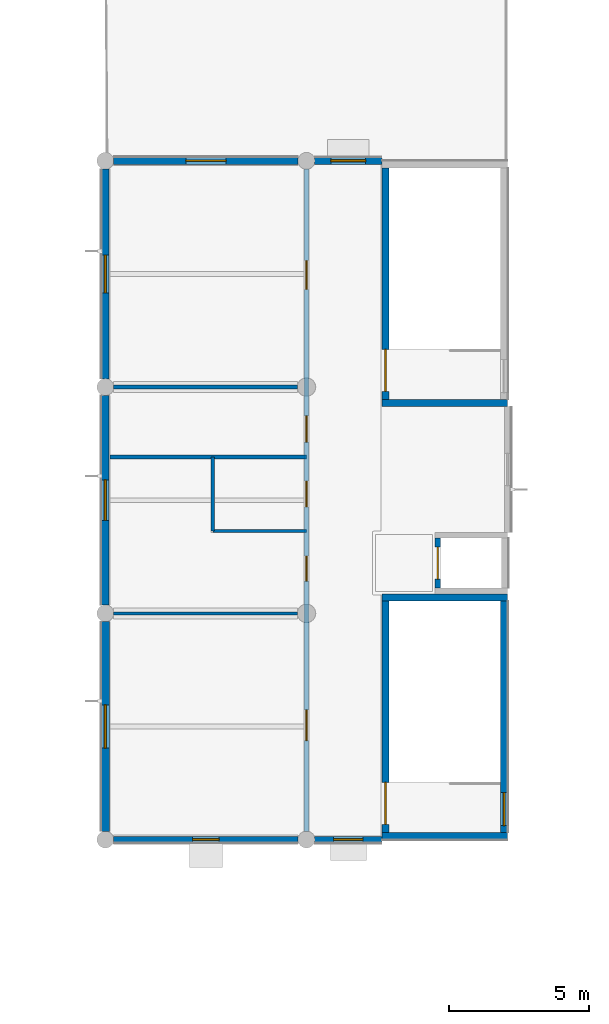
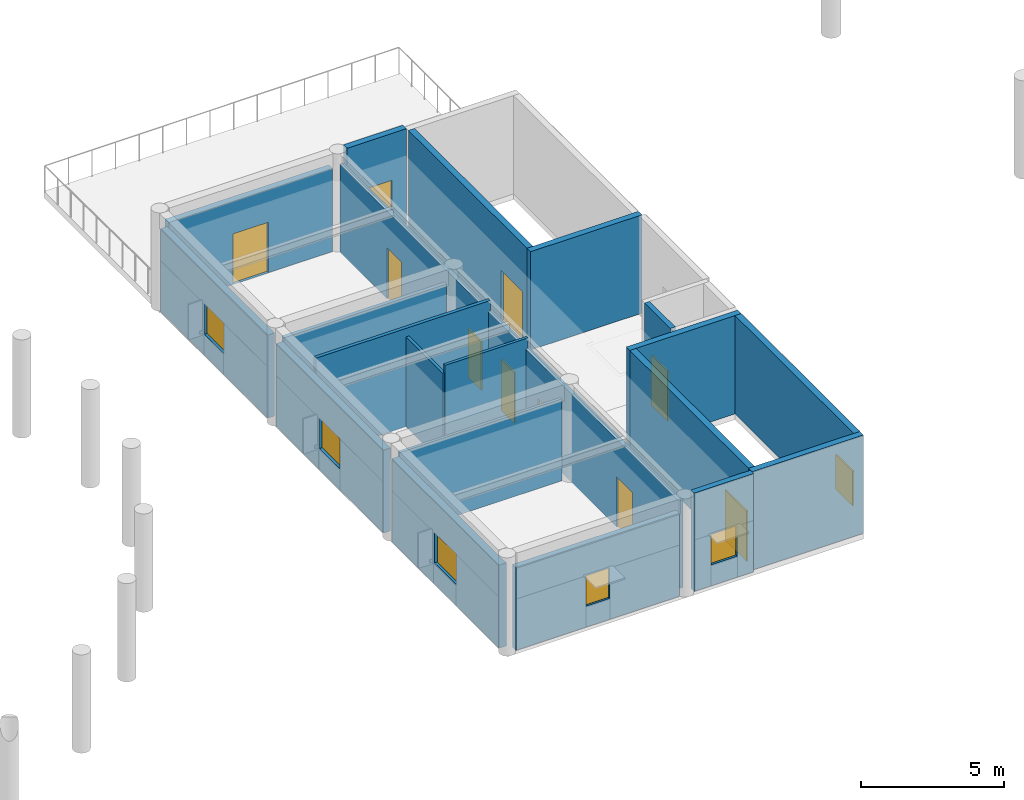
# One storey, part 29 of 55: 20 walls, 9 doors, 7 windows, 16 openings.
"""IFC4 building model written with IfcOpenShell, lengths in metres."""

from ifc_helpers import new_model, si_unit, direction, frame, frame_2d, origin, place, context, subcontext, project, spatial, rectangle, extrude, material, layer, layer_set, type_object, element, fill, save


model = new_model("IFC4")

# Units and contexts
model_context = context("Model", 3, precision=1e-05, world=origin(), true_north=direction((0.0, 1.0)))
body_context = subcontext(model_context, "Body", "Model", "MODEL_VIEW")
ifc_project = project(units=[si_unit("LENGTHUNIT", "METRE"), si_unit("AREAUNIT", "SQUARE_METRE"), si_unit("VOLUMEUNIT", "CUBIC_METRE"), si_unit("PLANEANGLEUNIT", "RADIAN"), si_unit("MASSUNIT", "GRAM", prefix="KILO")], contexts=[model_context])

# Site, building, storey
site_placement = place(None, origin())
site = spatial("IfcSite", under=ifc_project, at=site_placement, CompositionType="ELEMENT")
building_placement = place(site_placement, origin())
building = spatial("IfcBuilding", under=site, at=building_placement, Name="Namkhue Oval Health Centre", CompositionType="ELEMENT")
storey_placement = place(building_placement, frame((0.0, 0.0, 9.60009765625)))
storey = spatial("IfcBuildingStorey", under=building, at=storey_placement, Name="L02", CompositionType="ELEMENT", Elevation=9.60009765625)

# Wall, opening, window
ifc_material_1 = material(Name="Autoclaved aerated concrete blockwork M7.5", Category="masonry")
ifc_layer_1 = layer(ifc_material_1, 0.219970703125)
ifc_layer_set_1 = layer_set([ifc_layer_1], Name="Autoclaved aerated concrete blockwork M7.5")
wall_type_1 = type_object("IfcWallType", Name="EXTERIOR ENVELOPE WALL 220", PredefinedType="STANDARD", material=ifc_layer_set_1)
wall_1_placement = place(storey_placement, frame((137.094970703125, 43.199951171875, 0.0), z_axis=(0.0, 0.0, 1.0), x_axis=(1.0, 0.0, 0.0)))
wall_1 = element("IfcWall", 1, at=wall_1_placement, inside=storey, type_object=wall_type_1, Name="Volume V6 L02 Exterior Envelope Wall 181", PredefinedType="STANDARD", context=body_context, shape_type="SweptSolid", body=[
    extrude(rectangle(XDim=6.610107421875, YDim=0.219970703125, at=frame_2d((3.30517578125, 0.0))), origin(), (0.0, 0.0, 1.0), 3.5498046875),
])
opening_1_placement = place(wall_1_placement, frame((2.830078125, 0.0, 0.89990234375)))
opening_1 = element("IfcOpeningElement", 2, at=opening_1_placement, cuts=wall_1, Name="Opening WN-01", PredefinedType="OPENING", context=body_context, shape_type="SweptSolid", body=[
    extrude(rectangle(XDim=0.949951171875, YDim=1.300048828125, at=frame_2d((0.47509765625, 0.64990234375))), frame((0.0, 0.119873046875, 0.0), z_axis=(0.0, -1.0, 0.0), x_axis=(1.0, 0.0, 0.0)), (0.0, 0.0, 1.0), 0.239990234375),
])
ifc_material_2 = material(Name="Thermally broken low-E laminated double glazing", Category="glass")
window_type_1 = type_object("IfcWindowType", Name="EXTERIOR WINDOW 950X1300", PartitioningType="SINGLE_PANEL", PredefinedType="WINDOW", material=ifc_material_2)
window_1_placement = place(opening_1_placement, origin())
window_1 = element("IfcWindow", 3, at=window_1_placement, inside=storey, type_object=window_type_1, Name="Volume V6 L02 Exterior Window 136", OverallHeight=1.300048828125, OverallWidth=0.949951171875, PartitioningType="SINGLE_PANEL", PredefinedType="WINDOW", context=body_context, shape_type="SweptSolid", body=[
    extrude(rectangle(XDim=0.949951171875, YDim=1.300048828125, at=frame_2d((0.47509765625, 0.64990234375))), frame((0.0, 0.030029296875, 0.0), z_axis=(0.0, -1.0, 0.0), x_axis=(1.0, 0.0, 0.0)), (0.0, 0.0, 1.0), 0.06005859375),
])
fill(opening_1, window_1)

ifc_layer_2 = layer(ifc_material_1, 0.22998046875)
ifc_layer_set_2 = layer_set([ifc_layer_2], Name="Autoclaved aerated concrete blockwork M7.5")
wall_type_2 = type_object("IfcWallType", Name="EXTERIOR ENVELOPE WALL 230", PredefinedType="STANDARD", material=ifc_layer_set_2)
wall_2_placement = place(storey_placement, frame((144.294921875, 43.199951171875, 0.0), z_axis=(0.0, 0.0, 1.0), x_axis=(1.0, 0.0, 0.0)))
wall_2 = element("IfcWall", 4, at=wall_2_placement, inside=storey, type_object=wall_type_2, Name="Volume V6 L02 Exterior Envelope Wall 182", PredefinedType="STANDARD", context=body_context, shape_type="SweptSolid", body=[
    extrude(rectangle(XDim=2.403076171875, YDim=0.22998046875, at=frame_2d((1.20166015625, 0.0))), origin(), (0.0, 0.0, 1.0), 4.199951171875),
])
opening_2_placement = place(wall_2_placement, frame((0.676513671875, 0.0, 0.89990234375)))
opening_2 = element("IfcOpeningElement", 5, at=opening_2_placement, cuts=wall_2, Name="Opening WN-02", PredefinedType="OPENING", context=body_context, shape_type="SweptSolid", body=[
    extrude(rectangle(XDim=1.050048828125, YDim=1.300048828125, at=frame_2d((0.52490234375, 0.64990234375))), frame((0.0, 0.125, 0.0), z_axis=(0.0, -1.0, 0.0), x_axis=(1.0, 0.0, 0.0)), (0.0, 0.0, 1.0), 0.25),
])
window_type_2 = type_object("IfcWindowType", Name="EXTERIOR WINDOW 1050X1300", PartitioningType="SINGLE_PANEL", PredefinedType="WINDOW", material=ifc_material_2)
window_2_placement = place(opening_2_placement, origin())
window_2 = element("IfcWindow", 6, at=window_2_placement, inside=storey, type_object=window_type_2, Name="Volume V6 L02 Exterior Window 137", OverallHeight=1.300048828125, OverallWidth=1.050048828125, PartitioningType="SINGLE_PANEL", PredefinedType="WINDOW", context=body_context, shape_type="SweptSolid", body=[
    extrude(rectangle(XDim=1.050048828125, YDim=1.300048828125, at=frame_2d((0.52490234375, 0.64990234375))), frame((0.0, 0.030029296875, 0.0), z_axis=(0.0, -1.0, 0.0), x_axis=(1.0, 0.0, 0.0)), (0.0, 0.0, 1.0), 0.06005859375),
])
fill(opening_2, window_2)

ifc_layer_3 = layer(ifc_material_1, 0.25)
ifc_layer_set_3 = layer_set([ifc_layer_3], Name="Autoclaved aerated concrete blockwork M7.5")
wall_type_3 = type_object("IfcWallType", Name="EXTERIOR ENVELOPE WALL 250", PredefinedType="STANDARD", material=ifc_layer_set_3)
wall_3_placement = place(storey_placement, frame((146.697998046875, 67.5, 0.0), z_axis=(0.0, 0.0, 1.0), x_axis=(-1.0, 0.0, 0.0)))
wall_3 = element("IfcWall", 7, at=wall_3_placement, inside=storey, type_object=wall_type_3, Name="Volume V6 L02 Exterior Envelope Wall 184", PredefinedType="STANDARD", context=body_context, shape_type="SweptSolid", body=[
    extrude(rectangle(XDim=2.403076171875, YDim=0.25, at=frame_2d((1.20166015625, 0.0))), origin(), (0.0, 0.0, 1.0), 4.199951171875),
])
opening_3_placement = place(wall_3_placement, frame((0.576416015625, 0.0, 0.89990234375)))
opening_3 = element("IfcOpeningElement", 8, at=opening_3_placement, cuts=wall_3, Name="Opening WN-04", PredefinedType="OPENING", context=body_context, shape_type="SweptSolid", body=[
    extrude(rectangle(XDim=1.25, YDim=1.300048828125, at=frame_2d((0.625, 0.64990234375))), frame((0.0, 0.135009765625, 0.0), z_axis=(0.0, -1.0, 0.0), x_axis=(1.0, 0.0, 0.0)), (0.0, 0.0, 1.0), 0.27001953125),
])
window_type_3 = type_object("IfcWindowType", Name="EXTERIOR WINDOW 1250X1300", PartitioningType="SINGLE_PANEL", PredefinedType="WINDOW", material=ifc_material_2)
window_3_placement = place(opening_3_placement, origin())
window_3 = element("IfcWindow", 9, at=window_3_placement, inside=storey, type_object=window_type_3, Name="Volume V6 L02 Exterior Window 139", OverallHeight=1.300048828125, OverallWidth=1.25, PartitioningType="SINGLE_PANEL", PredefinedType="WINDOW", context=body_context, shape_type="SweptSolid", body=[
    extrude(rectangle(XDim=1.25, YDim=1.300048828125, at=frame_2d((0.625, 0.64990234375))), frame((0.0, 0.030029296875, 0.0), z_axis=(0.0, -1.0, 0.0), x_axis=(1.0, 0.0, 0.0)), (0.0, 0.0, 1.0), 0.06005859375),
])
fill(opening_3, window_3)

# Wall, opening, door
ifc_layer_4 = layer(ifc_material_1, 0.260009765625)
ifc_layer_set_4 = layer_set([ifc_layer_4], Name="Autoclaved aerated concrete blockwork M7.5")
wall_type_4 = type_object("IfcWallType", Name="EXTERIOR ENVELOPE WALL 260", PredefinedType="STANDARD", material=ifc_layer_set_4)
wall_4_placement = place(storey_placement, frame((143.705078125, 67.5, 0.0), z_axis=(0.0, 0.0, 1.0), x_axis=(-1.0, 0.0, 0.0)))
wall_4 = element("IfcWall", 10, at=wall_4_placement, inside=storey, type_object=wall_type_4, Name="Volume V6 L02 Exterior Envelope Wall 185", PredefinedType="STANDARD", context=body_context, shape_type="SweptSolid", body=[
    extrude(rectangle(XDim=6.610107421875, YDim=0.260009765625, at=frame_2d((3.30517578125, 0.0))), origin(), (0.0, 0.0, 1.0), 3.5498046875),
])
opening_4_placement = place(wall_4_placement, frame((2.5849609375, 0.0, 0.0)))
opening_4 = element("IfcOpeningElement", 11, at=opening_4_placement, cuts=wall_4, Name="Opening TD-01", PredefinedType="OPENING", context=body_context, shape_type="SweptSolid", body=[
    extrude(rectangle(XDim=1.43994140625, YDim=2.159912109375, at=frame_2d((0.719970703125, 1.080078125))), frame((0.0, 0.139892578125, 0.0), z_axis=(0.0, -1.0, 0.0), x_axis=(1.0, 0.0, 0.0)), (0.0, 0.0, 1.0), 0.280029296875),
])
ifc_material_3 = material(Name="Anodised aluminium glazed entrance door", Category="aluminium")
door_type_1 = type_object("IfcDoorType", Name="TERRACE DOOR 1440X2160", OperationType="DOUBLE_DOOR_SINGLE_SWING", PredefinedType="DOOR", material=ifc_material_3)
door_1_placement = place(opening_4_placement, frame((1.43994140625, 0.0, 0.0), z_axis=(0.0, 0.0, 1.0), x_axis=(-1.0, 0.0, 0.0)))
door_1 = element("IfcDoor", 12, at=door_1_placement, inside=storey, type_object=door_type_1, Name="Volume V6 L02 Roof Terrace Door 15", OperationType="DOUBLE_DOOR_SINGLE_SWING", OverallHeight=2.159912109375, OverallWidth=1.43994140625, PredefinedType="DOOR", context=body_context, shape_type="SweptSolid", body=[
    extrude(rectangle(XDim=1.43994140625, YDim=2.159912109375, at=frame_2d((0.719970703125, 1.080078125))), frame((0.0, 0.02490234375, 0.0), z_axis=(0.0, -1.0, 0.0), x_axis=(1.0, 0.0, 0.0)), (0.0, 0.0, 1.0), 0.050048828125),
])
fill(opening_4, door_1)

# Wall, opening, window
ifc_layer_5 = layer(ifc_material_1, 0.27001953125)
ifc_layer_set_5 = layer_set([ifc_layer_5], Name="Autoclaved aerated concrete blockwork M7.5")
wall_type_5 = type_object("IfcWallType", Name="EXTERIOR ENVELOPE WALL 270", PredefinedType="STANDARD", material=ifc_layer_set_5)
wall_5_placement = place(storey_placement, frame((136.800048828125, 67.205078125, 0.0), z_axis=(0.0, 0.0, 1.0), x_axis=(0.0, -1.0, 0.0)))
wall_5 = element("IfcWall", 13, at=wall_5_placement, inside=storey, type_object=wall_type_5, Name="Volume V6 L02 Exterior Envelope Wall 186", PredefinedType="STANDARD", context=body_context, shape_type="SweptSolid", body=[
    extrude(rectangle(XDim=7.510009765625, YDim=0.27001953125, at=frame_2d((3.7548828125, 0.0))), origin(), (0.0, 0.0, 1.0), 3.5498046875),
])
opening_5_placement = place(wall_5_placement, frame((3.080078125, 0.0, 0.89990234375)))
opening_5 = element("IfcOpeningElement", 14, at=opening_5_placement, cuts=wall_5, Name="Opening WN-05", PredefinedType="OPENING", context=body_context, shape_type="SweptSolid", body=[
    extrude(rectangle(XDim=1.35009765625, YDim=1.300048828125, at=frame_2d((0.675048828125, 0.64990234375))), frame((0.0, 0.14501953125, 0.0), z_axis=(0.0, -1.0, 0.0), x_axis=(1.0, 0.0, 0.0)), (0.0, 0.0, 1.0), 0.2900390625),
])
window_type_4 = type_object("IfcWindowType", Name="EXTERIOR WINDOW 1350X1300", PartitioningType="SINGLE_PANEL", PredefinedType="WINDOW", material=ifc_material_2)
window_4_placement = place(opening_5_placement, origin())
window_4 = element("IfcWindow", 15, at=window_4_placement, inside=storey, type_object=window_type_4, Name="Volume V6 L02 Exterior Window 140", OverallHeight=1.300048828125, OverallWidth=1.35009765625, PartitioningType="SINGLE_PANEL", PredefinedType="WINDOW", context=body_context, shape_type="SweptSolid", body=[
    extrude(rectangle(XDim=1.35009765625, YDim=1.300048828125, at=frame_2d((0.675048828125, 0.64990234375))), frame((0.0, 0.030029296875, 0.0), z_axis=(0.0, -1.0, 0.0), x_axis=(1.0, 0.0, 0.0)), (0.0, 0.0, 1.0), 0.06005859375),
])
fill(opening_5, window_4)

ifc_layer_6 = layer(ifc_material_1, 0.280029296875)
ifc_layer_set_6 = layer_set([ifc_layer_6], Name="Autoclaved aerated concrete blockwork M7.5")
wall_type_6 = type_object("IfcWallType", Name="EXTERIOR ENVELOPE WALL 280", PredefinedType="STANDARD", material=ifc_layer_set_6)
wall_6_placement = place(storey_placement, frame((136.800048828125, 59.10498046875, 0.0), z_axis=(0.0, 0.0, 1.0), x_axis=(0.0, -1.0, 0.0)))
wall_6 = element("IfcWall", 16, at=wall_6_placement, inside=storey, type_object=wall_type_6, Name="Volume V6 L02 Exterior Envelope Wall 187", PredefinedType="STANDARD", context=body_context, shape_type="SweptSolid", body=[
    extrude(rectangle(XDim=7.510009765625, YDim=0.280029296875, at=frame_2d((3.7548828125, 0.0))), origin(), (0.0, 0.0, 1.0), 3.5498046875),
])
opening_6_placement = place(wall_6_placement, frame((3.030029296875, 0.0, 0.89990234375)))
opening_6 = element("IfcOpeningElement", 17, at=opening_6_placement, cuts=wall_6, Name="Opening WN-06", PredefinedType="OPENING", context=body_context, shape_type="SweptSolid", body=[
    extrude(rectangle(XDim=1.449951171875, YDim=1.300048828125, at=frame_2d((0.72509765625, 0.64990234375))), frame((0.0, 0.14990234375, 0.0), z_axis=(0.0, -1.0, 0.0), x_axis=(1.0, 0.0, 0.0)), (0.0, 0.0, 1.0), 0.300048828125),
])
window_type_5 = type_object("IfcWindowType", Name="EXTERIOR WINDOW 1450X1300", PartitioningType="SINGLE_PANEL", PredefinedType="WINDOW", material=ifc_material_2)
window_5_placement = place(opening_6_placement, origin())
window_5 = element("IfcWindow", 18, at=window_5_placement, inside=storey, type_object=window_type_5, Name="Volume V6 L02 Exterior Window 141", OverallHeight=1.300048828125, OverallWidth=1.449951171875, PartitioningType="SINGLE_PANEL", PredefinedType="WINDOW", context=body_context, shape_type="SweptSolid", body=[
    extrude(rectangle(XDim=1.449951171875, YDim=1.300048828125, at=frame_2d((0.72509765625, 0.64990234375))), frame((0.0, 0.030029296875, 0.0), z_axis=(0.0, -1.0, 0.0), x_axis=(1.0, 0.0, 0.0)), (0.0, 0.0, 1.0), 0.06005859375),
])
fill(opening_6, window_5)

ifc_layer_7 = layer(ifc_material_1, 0.2900390625)
ifc_layer_set_7 = layer_set([ifc_layer_7], Name="Autoclaved aerated concrete blockwork M7.5")
wall_type_7 = type_object("IfcWallType", Name="EXTERIOR ENVELOPE WALL 290", PredefinedType="STANDARD", material=ifc_layer_set_7)
wall_7_placement = place(storey_placement, frame((136.800048828125, 51.0048828125, 0.0), z_axis=(0.0, 0.0, 1.0), x_axis=(0.0, -1.0, 0.0)))
wall_7 = element("IfcWall", 19, at=wall_7_placement, inside=storey, type_object=wall_type_7, Name="Volume V6 L02 Exterior Envelope Wall 188", PredefinedType="STANDARD", context=body_context, shape_type="SweptSolid", body=[
    extrude(rectangle(XDim=7.509765625, YDim=0.2900390625, at=frame_2d((3.7548828125, 0.0))), origin(), (0.0, 0.0, 1.0), 3.5498046875),
])
opening_7_placement = place(wall_7_placement, frame((2.97998046875, 0.0, 0.89990234375)))
opening_7 = element("IfcOpeningElement", 20, at=opening_7_placement, cuts=wall_7, Name="Opening WN-07", PredefinedType="OPENING", context=body_context, shape_type="SweptSolid", body=[
    extrude(rectangle(XDim=1.550048828125, YDim=1.300048828125, at=frame_2d((0.77490234375, 0.64990234375))), frame((0.0, 0.155029296875, 0.0), z_axis=(0.0, -1.0, 0.0), x_axis=(1.0, 0.0, 0.0)), (0.0, 0.0, 1.0), 0.31005859375),
])
window_type_6 = type_object("IfcWindowType", Name="EXTERIOR WINDOW 1550X1300", PartitioningType="SINGLE_PANEL", PredefinedType="WINDOW", material=ifc_material_2)
window_6_placement = place(opening_7_placement, origin())
window_6 = element("IfcWindow", 21, at=window_6_placement, inside=storey, type_object=window_type_6, Name="Volume V6 L02 Exterior Window 142", OverallHeight=1.300048828125, OverallWidth=1.550048828125, PartitioningType="SINGLE_PANEL", PredefinedType="WINDOW", context=body_context, shape_type="SweptSolid", body=[
    extrude(rectangle(XDim=1.550048828125, YDim=1.300048828125, at=frame_2d((0.77490234375, 0.64990234375))), frame((0.0, 0.030029296875, 0.0), z_axis=(0.0, -1.0, 0.0), x_axis=(1.0, 0.0, 0.0)), (0.0, 0.0, 1.0), 0.06005859375),
])
fill(opening_7, window_6)

# Wall, openings, doors
ifc_material_4 = material(Name="Gypsum plasterboard acoustic partition", Category="gypsum")
ifc_layer_8 = layer(ifc_material_4, 0.169921875)
ifc_layer_set_8 = layer_set([ifc_layer_8], Name="Gypsum plasterboard acoustic partition")
wall_type_8 = type_object("IfcWallType", Name="FIRE PARTITION WALL 170", PredefinedType="PARTITIONING", material=ifc_layer_set_8)
wall_8_placement = place(storey_placement, frame((144.0, 43.5, 0.0), z_axis=(0.0, 0.0, 1.0), x_axis=(0.0, 1.0, 0.0)))
wall_8 = element("IfcWall", 22, at=wall_8_placement, inside=storey, type_object=wall_type_8, Name="Volume V6 L02 Clinical Partition Wall 267", PredefinedType="PARTITIONING", context=body_context, shape_type="SweptSolid", body=[
    extrude(rectangle(XDim=23.699951171875, YDim=0.169921875, at=frame_2d((11.85009765625, 0.0))), origin(), (0.0, 0.0, 1.0), 3.75),
])
opening_8_placement = place(wall_8_placement, frame((3.242919921875, 0.0, 0.0)))
opening_8 = element("IfcOpeningElement", 23, at=opening_8_placement, cuts=wall_8, Name="Opening CD-11", PredefinedType="OPENING", context=body_context, shape_type="SweptSolid", body=[
    extrude(rectangle(XDim=1.10009765625, YDim=2.1298828125, at=frame_2d((0.550048828125, 1.06494140625))), frame((0.0, 0.094970703125, 0.0), z_axis=(0.0, -1.0, 0.0), x_axis=(1.0, 0.0, 0.0)), (0.0, 0.0, 1.0), 0.18994140625),
])
opening_9_placement = place(wall_8_placement, frame((8.949951171875, 0.0, 0.0)))
opening_9 = element("IfcOpeningElement", 24, at=opening_9_placement, cuts=wall_8, Name="Opening CD-07", PredefinedType="OPENING", context=body_context, shape_type="SweptSolid", body=[
    extrude(rectangle(XDim=0.89990234375, YDim=2.1298828125, at=frame_2d((0.449951171875, 1.06494140625))), frame((0.0, 0.094970703125, 0.0), z_axis=(0.0, -1.0, 0.0), x_axis=(1.0, 0.0, 0.0)), (0.0, 0.0, 1.0), 0.18994140625),
])
opening_10_placement = place(wall_8_placement, frame((11.614990234375, 0.0, 0.0)))
opening_10 = element("IfcOpeningElement", 25, at=opening_10_placement, cuts=wall_8, Name="Opening CD-13", PredefinedType="OPENING", context=body_context, shape_type="SweptSolid", body=[
    extrude(rectangle(XDim=0.919921875, YDim=2.179931640625, at=frame_2d((0.4599609375, 1.08984375))), frame((0.0, 0.094970703125, 0.0), z_axis=(0.0, -1.0, 0.0), x_axis=(1.0, 0.0, 0.0)), (0.0, 0.0, 1.0), 0.18994140625),
])
opening_11_placement = place(wall_8_placement, frame((13.929931640625, 0.0, 0.0)))
opening_11 = element("IfcOpeningElement", 26, at=opening_11_placement, cuts=wall_8, Name="Opening CD-02", PredefinedType="OPENING", context=body_context, shape_type="SweptSolid", body=[
    extrude(rectangle(XDim=0.93994140625, YDim=2.080078125, at=frame_2d((0.469970703125, 1.0400390625))), frame((0.0, 0.094970703125, 0.0), z_axis=(0.0, -1.0, 0.0), x_axis=(1.0, 0.0, 0.0)), (0.0, 0.0, 1.0), 0.18994140625),
])
opening_12_placement = place(wall_8_placement, frame((19.39306640625, 0.0, 0.0)))
opening_12 = element("IfcOpeningElement", 27, at=opening_12_placement, cuts=wall_8, Name="Opening CD-15", PredefinedType="OPENING", context=body_context, shape_type="SweptSolid", body=[
    extrude(rectangle(XDim=1.030029296875, YDim=2.179931640625, at=frame_2d((0.51513671875, 1.08984375))), frame((0.0, 0.094970703125, 0.0), z_axis=(0.0, -1.0, 0.0), x_axis=(1.0, 0.0, 0.0)), (0.0, 0.0, 1.0), 0.18994140625),
])
ifc_material_5 = material(Name="High-pressure laminate timber clinical door", Category="wood")
door_type_2 = type_object("IfcDoorType", Name="CLINICAL DOOR 1030X2180", OperationType="NOTDEFINED", PredefinedType="DOOR", material=ifc_material_5)
door_2_placement = place(opening_12_placement, origin())
door_2 = element("IfcDoor", 28, at=door_2_placement, inside=storey, type_object=door_type_2, Name="Volume V6 L02 Prosthetics Orthotics Fitting Room Door 236", OperationType="SINGLE_SWING_LEFT", OverallHeight=2.179931640625, OverallWidth=1.030029296875, PredefinedType="DOOR", context=body_context, shape_type="SweptSolid", body=[
    extrude(rectangle(XDim=1.030029296875, YDim=2.179931640625, at=frame_2d((0.51513671875, 1.08984375))), frame((0.0, 0.02490234375, 0.0), z_axis=(0.0, -1.0, 0.0), x_axis=(1.0, 0.0, 0.0)), (0.0, 0.0, 1.0), 0.050048828125),
])
fill(opening_12, door_2)
door_type_3 = type_object("IfcDoorType", Name="CLINICAL DOOR 1100X2130", OperationType="NOTDEFINED", PredefinedType="DOOR", material=ifc_material_5)
door_3_placement = place(opening_8_placement, origin())
door_3 = element("IfcDoor", 29, at=door_3_placement, inside=storey, type_object=door_type_3, Name="Volume V6 L02 Electrotherapy Pain Clinic Door 232", OperationType="SINGLE_SWING_LEFT", OverallHeight=2.1298828125, OverallWidth=1.10009765625, PredefinedType="DOOR", context=body_context, shape_type="SweptSolid", body=[
    extrude(rectangle(XDim=1.10009765625, YDim=2.1298828125, at=frame_2d((0.550048828125, 1.06494140625))), frame((0.0, 0.02490234375, 0.0), z_axis=(0.0, -1.0, 0.0), x_axis=(1.0, 0.0, 0.0)), (0.0, 0.0, 1.0), 0.050048828125),
])
fill(opening_8, door_3)
door_type_4 = type_object("IfcDoorType", Name="CLINICAL DOOR 900X2130", OperationType="NOTDEFINED", PredefinedType="DOOR", material=ifc_material_5)
door_4_placement = place(opening_9_placement, origin())
door_4 = element("IfcDoor", 30, at=door_4_placement, inside=storey, type_object=door_type_4, Name="Volume V6 L02 Orthotics Casting Utility Room Door 233", OperationType="SINGLE_SWING_RIGHT", OverallHeight=2.1298828125, OverallWidth=0.89990234375, PredefinedType="DOOR", context=body_context, shape_type="SweptSolid", body=[
    extrude(rectangle(XDim=0.89990234375, YDim=2.1298828125, at=frame_2d((0.449951171875, 1.06494140625))), frame((0.0, 0.02490234375, 0.0), z_axis=(0.0, -1.0, 0.0), x_axis=(1.0, 0.0, 0.0)), (0.0, 0.0, 1.0), 0.050048828125),
])
fill(opening_9, door_4)
door_type_5 = type_object("IfcDoorType", Name="CLINICAL DOOR 920X2180", OperationType="NOTDEFINED", PredefinedType="DOOR", material=ifc_material_5)
door_5_placement = place(opening_10_placement, origin())
door_5 = element("IfcDoor", 31, at=door_5_placement, inside=storey, type_object=door_type_5, Name="Volume V6 L02 Accessible WC Door 234", OperationType="SINGLE_SWING_LEFT", OverallHeight=2.179931640625, OverallWidth=0.919921875, PredefinedType="DOOR", context=body_context, shape_type="SweptSolid", body=[
    extrude(rectangle(XDim=0.919921875, YDim=2.179931640625, at=frame_2d((0.4599609375, 1.08984375))), frame((0.0, 0.02490234375, 0.0), z_axis=(0.0, -1.0, 0.0), x_axis=(1.0, 0.0, 0.0)), (0.0, 0.0, 1.0), 0.050048828125),
])
fill(opening_10, door_5)
door_type_6 = type_object("IfcDoorType", Name="CLINICAL DOOR 940X2080", OperationType="NOTDEFINED", PredefinedType="DOOR", material=ifc_material_5)
door_6_placement = place(opening_11_placement, origin())
door_6 = element("IfcDoor", 32, at=door_6_placement, inside=storey, type_object=door_type_6, Name="Volume V6 L02 Patient Washroom Door 235", OperationType="SINGLE_SWING_LEFT", OverallHeight=2.080078125, OverallWidth=0.93994140625, PredefinedType="DOOR", context=body_context, shape_type="SweptSolid", body=[
    extrude(rectangle(XDim=0.93994140625, YDim=2.080078125, at=frame_2d((0.469970703125, 1.0400390625))), frame((0.0, 0.02490234375, 0.0), z_axis=(0.0, -1.0, 0.0), x_axis=(1.0, 0.0, 0.0)), (0.0, 0.0, 1.0), 0.050048828125),
])
fill(opening_11, door_6)

# Walls
ifc_layer_9 = layer(ifc_material_4, 0.110107421875)
ifc_layer_set_9 = layer_set([ifc_layer_9], Name="Gypsum plasterboard acoustic partition")
wall_type_9 = type_object("IfcWallType", Name="INTERIOR PARTITION WALL 110", PredefinedType="PARTITIONING", material=ifc_layer_set_9)
wall_9_placement = place(storey_placement, frame((137.10009765625, 51.300048828125, 0.0), z_axis=(0.0, 0.0, 1.0), x_axis=(1.0, 0.0, 0.0)))
element("IfcWall", 33, at=wall_9_placement, inside=storey, type_object=wall_type_9, Name="Volume V6 L02 Clinical Partition Wall 268", PredefinedType="PARTITIONING", context=body_context, shape_type="SweptSolid", body=[
    extrude(rectangle(XDim=6.574951171875, YDim=0.110107421875, at=frame_2d((3.28759765625, 0.0))), origin(), (0.0, 0.0, 1.0), 3.5),
])
ifc_layer_10 = layer(ifc_material_4, 0.1201171875)
ifc_layer_set_10 = layer_set([ifc_layer_10], Name="Gypsum plasterboard acoustic partition")
wall_type_10 = type_object("IfcWallType", Name="INTERIOR PARTITION WALL 120", PredefinedType="PARTITIONING", material=ifc_layer_set_10)
wall_10_placement = place(storey_placement, frame((140.64990234375, 54.25, 0.0), z_axis=(0.0, 0.0, 1.0), x_axis=(1.0, 0.0, 0.0)))
element("IfcWall", 34, at=wall_10_placement, inside=storey, type_object=wall_type_10, Name="Volume V6 L02 Clinical Partition Wall 269", PredefinedType="PARTITIONING", context=body_context, shape_type="SweptSolid", body=[
    extrude(rectangle(XDim=3.35009765625, YDim=0.1201171875, at=frame_2d((1.675048828125, 0.0))), origin(), (0.0, 0.0, 1.0), 4.199951171875),
])
ifc_layer_11 = layer(ifc_material_4, 0.1298828125)
ifc_layer_set_11 = layer_set([ifc_layer_11], Name="Gypsum plasterboard acoustic partition")
wall_type_11 = type_object("IfcWallType", Name="INTERIOR PARTITION WALL 130", PredefinedType="PARTITIONING", material=ifc_layer_set_11)
wall_11_placement = place(storey_placement, frame((140.64990234375, 54.25, 0.0), z_axis=(0.0, 0.0, 1.0), x_axis=(0.0, 1.0, 0.0)))
element("IfcWall", 35, at=wall_11_placement, inside=storey, type_object=wall_type_11, Name="Volume V6 L02 Clinical Partition Wall 270", PredefinedType="PARTITIONING", context=body_context, shape_type="SweptSolid", body=[
    extrude(rectangle(XDim=2.64990234375, YDim=0.1298828125, at=frame_2d((1.324951171875, 0.0))), origin(), (0.0, 0.0, 1.0), 3.83984375),
])
ifc_layer_12 = layer(ifc_material_4, 0.139892578125)
ifc_layer_set_12 = layer_set([ifc_layer_12], Name="Gypsum plasterboard acoustic partition")
wall_type_12 = type_object("IfcWallType", Name="INTERIOR PARTITION WALL 140", PredefinedType="PARTITIONING", material=ifc_layer_set_12)
wall_12_placement = place(storey_placement, frame((136.9619140625, 56.89990234375, 0.0), z_axis=(0.0, 0.0, 1.0), x_axis=(1.0, 0.0, 0.0)))
element("IfcWall", 36, at=wall_12_placement, inside=storey, type_object=wall_type_12, Name="Volume V6 L02 Clinical Partition Wall 271", PredefinedType="PARTITIONING", context=body_context, shape_type="SweptSolid", body=[
    extrude(rectangle(XDim=7.0380859375, YDim=0.139892578125, at=frame_2d((3.51904296875, 0.0))), origin(), (0.0, 0.0, 1.0), 4.199951171875),
])
ifc_layer_13 = layer(ifc_material_4, 0.14990234375)
ifc_layer_set_13 = layer_set([ifc_layer_13], Name="Gypsum plasterboard acoustic partition")
wall_type_13 = type_object("IfcWallType", Name="INTERIOR PARTITION WALL 150", PredefinedType="PARTITIONING", material=ifc_layer_set_13)
wall_13_placement = place(storey_placement, frame((137.10009765625, 59.39990234375, 0.0), z_axis=(0.0, 0.0, 1.0), x_axis=(1.0, 0.0, 0.0)))
element("IfcWall", 37, at=wall_13_placement, inside=storey, type_object=wall_type_13, Name="Volume V6 L02 Clinical Partition Wall 272", PredefinedType="PARTITIONING", context=body_context, shape_type="SweptSolid", body=[
    extrude(rectangle(XDim=6.574951171875, YDim=0.14990234375, at=frame_2d((3.28759765625, 0.0))), origin(), (0.0, 0.0, 1.0), 3.5),
])
ifc_material_6 = material(Name="Reinforced concrete C35/45 (TCVN B40)", Category="concrete")
ifc_layer_14 = layer(ifc_material_6, 0.25)
ifc_layer_set_14 = layer_set([ifc_layer_14], Name="Reinforced concrete C35/45 (TCVN B40)")
wall_type_14 = type_object("IfcWallType", Name="SHEAR CORE WALL EXT 250", PredefinedType="SHEAR", material=ifc_layer_set_14)
wall_14_placement = place(storey_placement, frame((146.699951171875, 43.324951171875, 0.0), z_axis=(0.0, 0.0, 1.0), x_axis=(1.0, 0.0, 0.0)))
element("IfcWall", 38, at=wall_14_placement, inside=storey, type_object=wall_type_14, Name="Core SC-11 L02 Shear Wall S", PredefinedType="SHEAR", context=body_context, shape_type="SweptSolid", body=[
    extrude(rectangle(XDim=4.5, YDim=0.25, at=frame_2d((2.25, 0.0))), origin(), (0.0, 0.0, 1.0), 4.199951171875),
])

# Wall, opening, window
wall_15_placement = place(storey_placement, frame((151.074951171875, 43.449951171875, 0.0), z_axis=(0.0, 0.0, 1.0), x_axis=(0.0, 1.0, 0.0)))
wall_15 = element("IfcWall", 39, at=wall_15_placement, inside=storey, type_object=wall_type_14, Name="Core SC-11 L02 Shear Wall E", PredefinedType="SHEAR", context=body_context, shape_type="SweptSolid", body=[
    extrude(rectangle(XDim=8.300048828125, YDim=0.25, at=frame_2d((4.14990234375, 0.0))), origin(), (0.0, 0.0, 1.0), 4.199951171875),
])
opening_13_placement = place(wall_15_placement, frame((0.25, 0.0, 0.919921875)))
opening_13 = element("IfcOpeningElement", 40, at=opening_13_placement, cuts=wall_15, Name="Opening SWN-01", PredefinedType="OPENING", context=body_context, shape_type="SweptSolid", body=[
    extrude(rectangle(XDim=1.179931640625, YDim=1.47998046875, at=frame_2d((0.58984375, 0.739990234375))), frame((0.0, 0.135009765625, 0.0), z_axis=(0.0, -1.0, 0.0), x_axis=(1.0, 0.0, 0.0)), (0.0, 0.0, 1.0), 0.27001953125),
])
ifc_material_7 = material(Name="Fire-rated insulated safety double glazing", Category="glass")
window_type_7 = type_object("IfcWindowType", Name="EXTERIOR WINDOW STAIRWELL 1180X1480", PartitioningType="SINGLE_PANEL", PredefinedType="WINDOW", material=ifc_material_7)
window_7_placement = place(opening_13_placement, origin())
window_7 = element("IfcWindow", 41, at=window_7_placement, inside=storey, type_object=window_type_7, Name="Stair ST-11 L02 Stairwell Daylight Window", OverallHeight=1.47998046875, OverallWidth=1.179931640625, PartitioningType="SINGLE_PANEL", PredefinedType="WINDOW", context=body_context, shape_type="SweptSolid", body=[
    extrude(rectangle(XDim=1.179931640625, YDim=1.47998046875, at=frame_2d((0.58984375, 0.739990234375))), frame((0.0, 0.030029296875, 0.0), z_axis=(0.0, -1.0, 0.0), x_axis=(1.0, 0.0, 0.0)), (0.0, 0.0, 1.0), 0.06005859375),
])
fill(opening_13, window_7)

# Wall, opening, door
ifc_layer_15 = layer(ifc_material_6, 0.199951171875)
ifc_layer_set_15 = layer_set([ifc_layer_15], Name="Reinforced concrete C35/45 (TCVN B40)")
wall_type_15 = type_object("IfcWallType", Name="SHEAR CORE WALL INT 200", PredefinedType="SHEAR", material=ifc_layer_set_15)
wall_16_placement = place(storey_placement, frame((148.699951171875, 54.0, 0.0), z_axis=(0.0, 0.0, 1.0), x_axis=(0.0, -1.0, 0.0)))
wall_16 = element("IfcWall", 42, at=wall_16_placement, inside=storey, type_object=wall_type_15, Name="Lift LF-07 L02 Shaft Wall W", PredefinedType="SHEAR", context=body_context, shape_type="SweptSolid", body=[
    extrude(rectangle(XDim=1.800048828125, YDim=0.199951171875, at=frame_2d((0.89990234375, 0.0))), origin(), (0.0, 0.0, 1.0), 4.199951171875),
])
opening_14_placement = place(wall_16_placement, frame((0.324951171875, 0.0, 0.0)))
opening_14 = element("IfcOpeningElement", 43, at=opening_14_placement, cuts=wall_16, Name="Opening LD-02", PredefinedType="OPENING", context=body_context, shape_type="SweptSolid", body=[
    extrude(rectangle(XDim=1.14990234375, YDim=2.14990234375, at=frame_2d((0.574951171875, 1.074951171875))), frame((0.0, 0.10986328125, 0.0), z_axis=(0.0, -1.0, 0.0), x_axis=(1.0, 0.0, 0.0)), (0.0, 0.0, 1.0), 0.219970703125),
])
ifc_material_8 = material(Name="Powder-coated steel fire door assembly", Category="steel")
door_type_7 = type_object("IfcDoorType", Name="LIFT LANDING DOOR PASSENGER 1150X2150", OperationType="DOUBLE_DOOR_SLIDING", PredefinedType="DOOR", material=ifc_material_8)
door_7_placement = place(opening_14_placement, frame((1.14990234375, 0.0, 0.0), z_axis=(0.0, 0.0, 1.0), x_axis=(-1.0, 0.0, 0.0)))
door_7 = element("IfcDoor", 44, at=door_7_placement, inside=storey, type_object=door_type_7, Name="Lift LF-07 L02 Sliding Landing Door", OperationType="DOUBLE_DOOR_SLIDING", OverallHeight=2.14990234375, OverallWidth=1.14990234375, PredefinedType="DOOR", context=body_context, shape_type="SweptSolid", body=[
    extrude(rectangle(XDim=1.14990234375, YDim=2.14990234375, at=frame_2d((0.574951171875, 1.074951171875))), frame((0.0, 0.02490234375, 0.0), z_axis=(0.0, -1.0, 0.0), x_axis=(1.0, 0.0, 0.0)), (0.0, 0.0, 1.0), 0.050048828125),
])
fill(opening_14, door_7)

# Wall
ifc_layer_16 = layer(ifc_material_6, 0.25)
ifc_layer_set_16 = layer_set([ifc_layer_16], Name="Reinforced concrete C35/45 (TCVN B40)")
wall_type_16 = type_object("IfcWallType", Name="SHEAR CORE WALL INT 250", PredefinedType="SHEAR", material=ifc_layer_set_16)
wall_17_placement = place(storey_placement, frame((151.199951171875, 51.875, 0.0), z_axis=(0.0, 0.0, 1.0), x_axis=(-1.0, 0.0, 0.0)))
element("IfcWall", 45, at=wall_17_placement, inside=storey, type_object=wall_type_16, Name="Core SC-11 L02 Shear Wall N", PredefinedType="SHEAR", context=body_context, shape_type="SweptSolid", body=[
    extrude(rectangle(XDim=4.5, YDim=0.25, at=frame_2d((2.25, 0.0))), origin(), (0.0, 0.0, 1.0), 4.199951171875),
])

# Wall, opening, door
wall_18_placement = place(storey_placement, frame((146.824951171875, 51.75, 0.0), z_axis=(0.0, 0.0, 1.0), x_axis=(0.0, -1.0, 0.0)))
wall_18 = element("IfcWall", 46, at=wall_18_placement, inside=storey, type_object=wall_type_16, Name="Core SC-11 L02 Shear Wall W", PredefinedType="SHEAR", context=body_context, shape_type="SweptSolid", body=[
    extrude(rectangle(XDim=8.300048828125, YDim=0.25, at=frame_2d((4.14990234375, 0.0))), origin(), (0.0, 0.0, 1.0), 4.199951171875),
])
opening_15_placement = place(wall_18_placement, frame((6.5, 0.0, 0.0)))
opening_15 = element("IfcOpeningElement", 47, at=opening_15_placement, cuts=wall_18, Name="Opening SD-I1", PredefinedType="OPENING", context=body_context, shape_type="SweptSolid", body=[
    extrude(rectangle(XDim=1.5, YDim=2.14990234375, at=frame_2d((0.75, 1.074951171875))), frame((0.0, 0.135009765625, 0.0), z_axis=(0.0, -1.0, 0.0), x_axis=(1.0, 0.0, 0.0)), (0.0, 0.0, 1.0), 0.27001953125),
])
door_type_8 = type_object("IfcDoorType", Name="CLINICAL DOOR STAIR CORE 1500X2150", OperationType="DOUBLE_DOOR_SINGLE_SWING", PredefinedType="DOOR", material=ifc_material_8)
door_8_placement = place(opening_15_placement, origin())
door_8 = element("IfcDoor", 48, at=door_8_placement, inside=storey, type_object=door_type_8, Name="Stair ST-11 L02 Stair Enclosure Fire Door", OperationType="DOUBLE_DOOR_SINGLE_SWING", OverallHeight=2.14990234375, OverallWidth=1.5, PredefinedType="DOOR", context=body_context, shape_type="SweptSolid", body=[
    extrude(rectangle(XDim=1.5, YDim=2.14990234375, at=frame_2d((0.75, 1.074951171875))), frame((0.0, 0.02490234375, 0.0), z_axis=(0.0, -1.0, 0.0), x_axis=(1.0, 0.0, 0.0)), (0.0, 0.0, 1.0), 0.050048828125),
])
fill(opening_15, door_8)

# Wall
wall_19_placement = place(storey_placement, frame((146.699951171875, 58.824951171875, 0.0), z_axis=(0.0, 0.0, 1.0), x_axis=(1.0, 0.0, 0.0)))
element("IfcWall", 49, at=wall_19_placement, inside=storey, type_object=wall_type_16, Name="Core SC-12 L02 Shear Wall S", PredefinedType="SHEAR", context=body_context, shape_type="SweptSolid", body=[
    extrude(rectangle(XDim=4.5, YDim=0.25, at=frame_2d((2.25, 0.0))), origin(), (0.0, 0.0, 1.0), 4.199951171875),
])

# Wall, opening, door
wall_20_placement = place(storey_placement, frame((146.824951171875, 67.25, 0.0), z_axis=(0.0, 0.0, 1.0), x_axis=(0.0, -1.0, 0.0)))
wall_20 = element("IfcWall", 50, at=wall_20_placement, inside=storey, type_object=wall_type_16, Name="Core SC-12 L02 Shear Wall W", PredefinedType="SHEAR", context=body_context, shape_type="SweptSolid", body=[
    extrude(rectangle(XDim=8.300048828125, YDim=0.25, at=frame_2d((4.14990234375, 0.0))), origin(), (0.0, 0.0, 1.0), 4.199951171875),
])
opening_16_placement = place(wall_20_placement, frame((6.5, 0.0, 0.0)))
opening_16 = element("IfcOpeningElement", 51, at=opening_16_placement, cuts=wall_20, Name="Opening SD-I1", PredefinedType="OPENING", context=body_context, shape_type="SweptSolid", body=[
    extrude(rectangle(XDim=1.5, YDim=2.14990234375, at=frame_2d((0.75, 1.074951171875))), frame((0.0, 0.135009765625, 0.0), z_axis=(0.0, -1.0, 0.0), x_axis=(1.0, 0.0, 0.0)), (0.0, 0.0, 1.0), 0.27001953125),
])
door_9_placement = place(opening_16_placement, origin())
door_9 = element("IfcDoor", 52, at=door_9_placement, inside=storey, type_object=door_type_8, Name="Stair ST-12 L02 Stair Enclosure Fire Door", OperationType="DOUBLE_DOOR_SINGLE_SWING", OverallHeight=2.14990234375, OverallWidth=1.5, PredefinedType="DOOR", context=body_context, shape_type="SweptSolid", body=[
    extrude(rectangle(XDim=1.5, YDim=2.14990234375, at=frame_2d((0.75, 1.074951171875))), frame((0.0, 0.02490234375, 0.0), z_axis=(0.0, -1.0, 0.0), x_axis=(1.0, 0.0, 0.0)), (0.0, 0.0, 1.0), 0.050048828125),
])
fill(opening_16, door_9)

save(model, "model.ifc")
